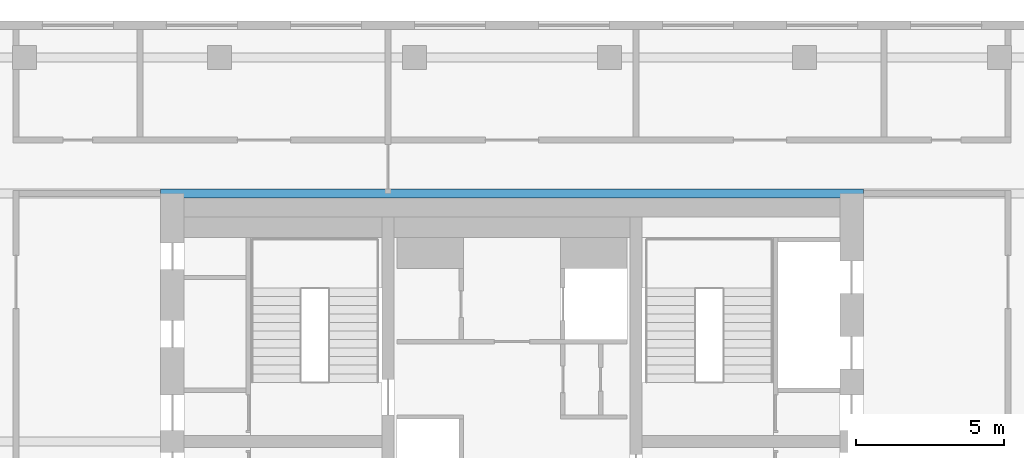
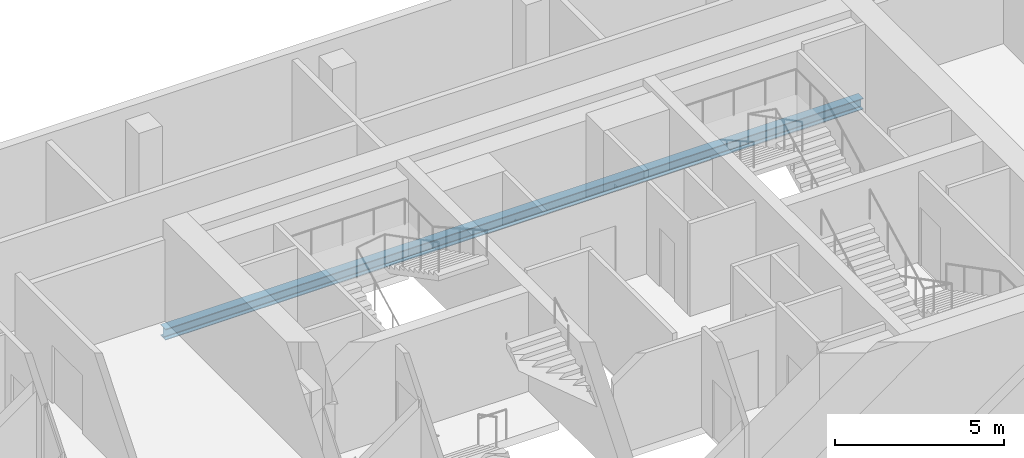
# One storey, part 9 of 22: 1 beam.
"""IFC4 building model written with IfcOpenShell, lengths in metres."""

from ifc_helpers import new_model, si_unit, direction, frame, origin, origin_2d, place, context, subcontext, project, spatial, i_section, extrude, material, material_profile, profile_set, type_object, element, save


model = new_model("IFC4")

# Units and contexts
model_context = context("Model", 3, precision=1e-05, world=origin(), true_north=direction((0.0, 1.0)))
body_context = subcontext(model_context, "Body", "Model", "MODEL_VIEW")
ifc_project = project(units=[si_unit("LENGTHUNIT", "METRE"), si_unit("AREAUNIT", "SQUARE_METRE"), si_unit("VOLUMEUNIT", "CUBIC_METRE"), si_unit("PLANEANGLEUNIT", "RADIAN"), si_unit("MASSUNIT", "GRAM", prefix="KILO")], contexts=[model_context])

# Site, building, storey
site_placement = place(None, origin())
site = spatial("IfcSite", under=ifc_project, at=site_placement, CompositionType="ELEMENT")
building_placement = place(site_placement, origin())
building = spatial("IfcBuilding", under=site, at=building_placement, Name="Marenta Gate Hotel Tower", CompositionType="ELEMENT")
storey_placement = place(building_placement, frame((0.0, 0.0, 187.699951171875)))
storey = spatial("IfcBuildingStorey", under=building, at=storey_placement, Name="L42", CompositionType="ELEMENT", Elevation=187.699951171875)

# Beam
ifc_material = material(Name="Steel S355", Category="steel")
ifc_material_profile = material_profile(ifc_material, i_section(OverallWidth=0.300048828125, OverallDepth=0.39990234375, WebThickness=0.013427734375, FlangeThickness=0.02392578125, FilletRadius=0.027099609375, at=origin_2d()), Name="HEB 400")
ifc_profile_set = profile_set([ifc_material_profile], Name="Steel S355")
beam_type = type_object("IfcBeamType", Name="Girder HEB 400", PredefinedType="BEAM", material=ifc_profile_set)
beam_placement = place(storey_placement, frame((-11.89990234375, 16.800048828125, -0.4599609375), z_axis=(1.0, 0.0, 0.0), x_axis=(0.0, 1.0, 0.0)))
element("IfcBeam", 1, at=beam_placement, inside=storey, type_object=beam_type, Name="L42-GD-31", PredefinedType="BEAM", context=body_context, shape_type="SweptSolid", body=[
    extrude(i_section(OverallWidth=0.300048828125, OverallDepth=0.39990234375, WebThickness=0.013427734375, FlangeThickness=0.02392578125, FilletRadius=0.027099609375, at=origin_2d()), origin(), (0.0, 0.0, 1.0), 23.7998046875),
])

save(model, "model.ifc")
